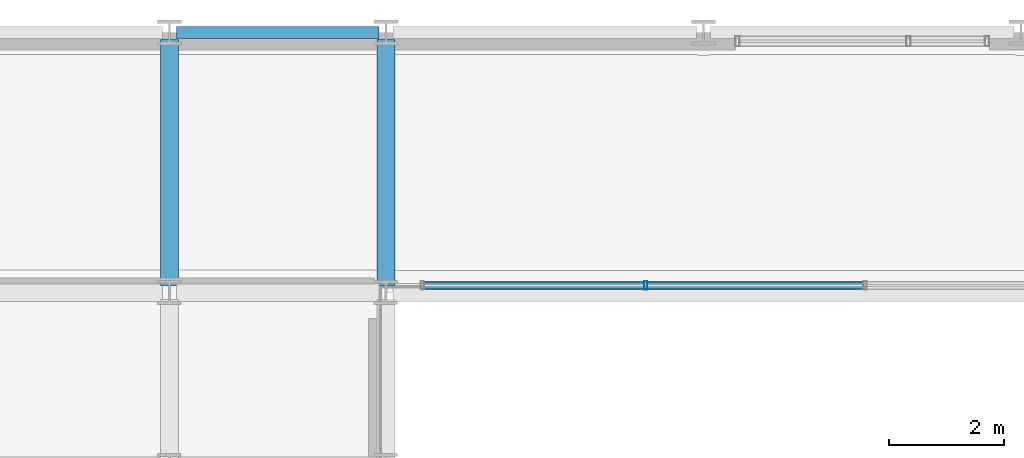
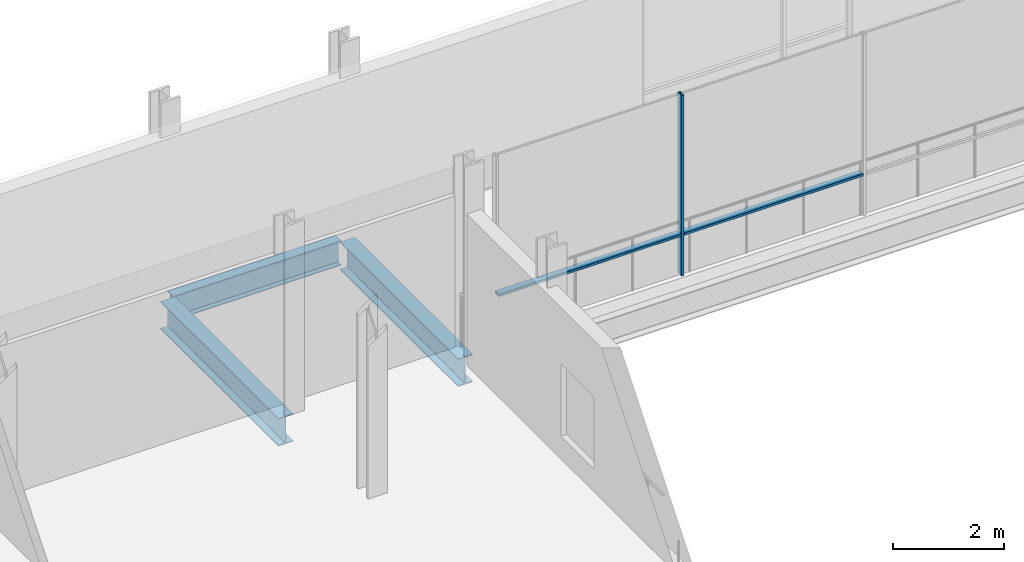
# One storey, part 9 of 32: 3 beams, 3 members, 1 element without a shape of its own.
"""IFC4 building model written with IfcOpenShell, lengths in metres."""

import ifcopenshell
import ifcopenshell.guid

model = None  # the IFC model being written
_history = None  # IfcOwnerHistory: only IFC2X3 demands one
_inside = {}  # id of a spatial element -> (the spatial element, [elements in it])
_under = {}  # id of a project, library or spatial element -> (it, [spatial elements below it])
_declared = {}  # id of a project -> (the project, [libraries it declares])
_typed = {}  # id of a type object -> (the type object, [elements of that type])
_made_of = {}  # id of a material, layer set ... -> (it, [elements and type objects made of it])


def new_model(schema):
    """Start an empty IFC model of exactly this schema.

    Asked for "IFC4X3", IfcOpenShell would pick the latest addendum, in which some entities
    have other attributes; the version numbers below select the first issue.
    IFC2X3 requires an IfcOwnerHistory on every rooted entity: one is made here for all.
    """
    global model, _history
    if schema == "IFC4X3":
        model = ifcopenshell.file(schema_version=(4, 3, 0, 0))
    else:
        model = ifcopenshell.file(schema=schema)
    _inside.clear()
    _under.clear()
    _declared.clear()
    _typed.clear()
    _made_of.clear()
    _history = None
    if model.schema == "IFC2X3":
        org = make("IfcOrganization", Name="unknown")
        user = make(
            "IfcPersonAndOrganization",
            ThePerson=make("IfcPerson", FamilyName="unknown"),
            TheOrganization=org,
        )
        app = make(
            "IfcApplication",
            ApplicationDeveloper=org,
            Version="unknown",
            ApplicationFullName="unknown",
            ApplicationIdentifier="unknown",
        )
        _history = make(
            "IfcOwnerHistory",
            OwningUser=user,
            OwningApplication=app,
            ChangeAction="ADDED",
            CreationDate=0,
        )
    return model


def make(cls, **values):
    """One entity of the class cls with the attributes given. An attribute that is None is left unset."""
    return model.create_entity(
        cls, **{name: value for name, value in values.items() if value is not None}
    )


def rooted(cls, **values):
    """An entity with a GlobalId (a new one), such as an element, a storey or a relation."""
    return make(cls, GlobalId=ifcopenshell.guid.new(), OwnerHistory=_history, **values)


def si_unit(unit_type, name, prefix=None):
    """IfcSIUnit, for example si_unit("LENGTHUNIT", "METRE", prefix="MILLI")."""
    return make("IfcSIUnit", UnitType=unit_type, Prefix=prefix, Name=name)


def assignment(units):
    """IfcUnitAssignment: the units of a project."""
    return None if units is None else make("IfcUnitAssignment", Units=units)


def point(xyz):
    """IfcCartesianPoint."""
    return None if xyz is None else make("IfcCartesianPoint", Coordinates=xyz)


def direction(xyz):
    """IfcDirection."""
    return None if xyz is None else make("IfcDirection", DirectionRatios=xyz)


def frame(location, z_axis=None, x_axis=None):
    """IfcAxis2Placement3D, a coordinate frame: its origin and axes. An axis left out is left unset."""
    return make(
        "IfcAxis2Placement3D",
        Location=point(location),
        Axis=direction(z_axis),
        RefDirection=direction(x_axis),
    )


def frame_2d(location, x_axis=None):
    """IfcAxis2Placement2D, a coordinate frame in the plane: its origin and x axis."""
    return make(
        "IfcAxis2Placement2D", Location=point(location), RefDirection=direction(x_axis)
    )


def origin():
    """The frame at (0, 0, 0) with its axes left unset."""
    return frame((0.0, 0.0, 0.0))


def origin_2d():
    """The frame at (0, 0) in the plane with its x axis left unset."""
    return frame_2d((0.0, 0.0))


def place(relative_to, where):
    """IfcLocalPlacement: puts the frame where relative to a parent placement (None: the world)."""
    return make(
        "IfcLocalPlacement", PlacementRelTo=relative_to, RelativePlacement=where
    )


def context(
    kind, dimensions, precision=None, world=None, true_north=None, identifier=None
):
    """IfcGeometricRepresentationContext, for example the 3D "Model" context."""
    return make(
        "IfcGeometricRepresentationContext",
        ContextIdentifier=identifier,
        ContextType=kind,
        CoordinateSpaceDimension=dimensions,
        Precision=precision,
        WorldCoordinateSystem=world,
        TrueNorth=true_north,
    )


def subcontext(parent, identifier, kind, view, scale=None):
    """IfcGeometricRepresentationSubContext, for example "Body" below "Model"."""
    return make(
        "IfcGeometricRepresentationSubContext",
        ContextIdentifier=identifier,
        ContextType=kind,
        ParentContext=parent,
        TargetScale=scale,
        TargetView=view,
    )


def project(units=None, contexts=None):
    """IfcProject with its units and contexts."""
    return rooted(
        "IfcProject",
        Name="project",
        RepresentationContexts=contexts,
        UnitsInContext=assignment(units),
    )


def spatial(cls, under=None, at=None, **own):
    """A site, building, storey or space (cls), placed at a placement, below another one or the project."""
    s = rooted(cls, ObjectPlacement=at, **own)
    if under is not None:
        _under.setdefault(under.id(), (under, []))[1].append(s)
    return s


def profile(cls, at=None, kind="AREA", **sizes):
    """A parametric profile (cls). Its sizes go by their IFC names, for example OverallWidth=200.0."""
    return make(cls, ProfileType=kind, Position=at, **sizes)


def hollow_rectangle(**sizes):
    """IfcRectangleHollowProfileDef."""
    return profile("IfcRectangleHollowProfileDef", **sizes)


def i_section(**sizes):
    """IfcIShapeProfileDef."""
    return profile("IfcIShapeProfileDef", **sizes)


def extrude(swept, where, along, depth):
    """IfcExtrudedAreaSolid: the profile swept, set in the frame where, extruded along a direction by depth."""
    return make(
        "IfcExtrudedAreaSolid",
        SweptArea=swept,
        Position=where,
        ExtrudedDirection=direction(along),
        Depth=depth,
    )


def shape(context_of_items, identifier, shape_type, items):
    """IfcShapeRepresentation: the items that make up one representation, for example the "Body"."""
    return make(
        "IfcShapeRepresentation",
        ContextOfItems=context_of_items,
        RepresentationIdentifier=identifier,
        RepresentationType=shape_type,
        Items=items,
    )


def material(Name=None, Category=None):
    """IfcMaterial."""
    return make("IfcMaterial", Name=Name, Category=Category)


def layer(
    of_material, thickness, ventilated=None, Name=None, Category=None, Priority=None
):
    """IfcMaterialLayer: one layer of a wall or slab, of a material (None: an air gap)."""
    return make(
        "IfcMaterialLayer",
        Material=of_material,
        LayerThickness=thickness,
        IsVentilated=ventilated,
        Name=Name,
        Category=Category,
        Priority=Priority,
    )


def layer_set(layers, Name=None):
    """IfcMaterialLayerSet."""
    return make("IfcMaterialLayerSet", MaterialLayers=layers, LayerSetName=Name)


def material_profile(
    of_material, cross_section, Name=None, Category=None, Priority=None
):
    """IfcMaterialProfile: a cross section and its material."""
    return make(
        "IfcMaterialProfile",
        Name=Name,
        Material=of_material,
        Profile=cross_section,
        Priority=Priority,
        Category=Category,
    )


def profile_set(profiles, Name=None, composite=None):
    """IfcMaterialProfileSet."""
    return make(
        "IfcMaterialProfileSet",
        Name=Name,
        MaterialProfiles=profiles,
        CompositeProfile=composite,
    )


def made_of(thing, what):
    """Note that an element or type object is made of a material, layer set ...; save() writes the relation."""
    if what is not None:
        _made_of.setdefault(what.id(), (what, []))[1].append(thing)
    return thing


def type_object(cls, material=None, **own):
    """A type object (cls), such as IfcWallType, which elements share."""
    return made_of(rooted(cls, **own), material)


def element(
    cls,
    number,
    at=None,
    inside=None,
    cuts=None,
    type_object=None,
    material=None,
    context=None,
    identifier="Body",
    shape_type=None,
    held_by="IfcProductDefinitionShape",
    body=None,
    shapes=None,
    **own,
):
    """One element of the class cls, such as IfcWall. Its Tag is "e" and its number.

    at: its placement. inside: the storey or other place that contains it. cuts: it is an
    opening in that element (IfcRelVoidsElement). A single representation is given by context,
    identifier, shape_type and body (its items); several are given by shapes. held_by: the class
    of the entity that holds the representations. save() writes the other relations.
    """
    e = rooted(cls, Tag="e%d" % number, ObjectPlacement=at, **own)
    if body is not None:
        shapes = [shape(context, identifier, shape_type, body)]
    if shapes is not None:
        e.Representation = make(held_by, Representations=shapes)
    if inside is not None:
        _inside.setdefault(inside.id(), (inside, []))[1].append(e)
    if cuts is not None:
        rooted(
            "IfcRelVoidsElement", RelatingBuildingElement=cuts, RelatedOpeningElement=e
        )
    if type_object is not None:
        _typed.setdefault(type_object.id(), (type_object, []))[1].append(e)
    return made_of(e, material)


def aggregate(whole, parts):
    """IfcRelAggregates: a whole, such as a stair, and the parts it consists of."""
    return rooted("IfcRelAggregates", RelatingObject=whole, RelatedObjects=parts)


def save(model, path):
    """Write the relations noted so far, then the file.

    IfcRelAggregates (storeys below a building ...), IfcRelContainedInSpatialStructure (elements
    in a storey), IfcRelDefinesByType, IfcRelAssociatesMaterial and IfcRelDeclares: one each for
    every whole, place, type object, material and project.
    """
    for whole, parts in _under.values():
        aggregate(whole, parts)
    for where, things in _inside.values():
        rooted(
            "IfcRelContainedInSpatialStructure",
            RelatedElements=things,
            RelatingStructure=where,
        )
    for kind, things in _typed.values():
        rooted("IfcRelDefinesByType", RelatedObjects=things, RelatingType=kind)
    for what, things in _made_of.values():
        rooted("IfcRelAssociatesMaterial", RelatedObjects=things, RelatingMaterial=what)
    for by, libraries in _declared.values():
        rooted("IfcRelDeclares", RelatingContext=by, RelatedDefinitions=libraries)
    model.write(path)


model = new_model("IFC4")

# Units and contexts
model_context = context("Model", 3, precision=1e-05, world=origin(), true_north=direction((0.0, 1.0)))
body_context = subcontext(model_context, "Body", "Model", "MODEL_VIEW")
ifc_project = project(units=[si_unit("LENGTHUNIT", "METRE"), si_unit("AREAUNIT", "SQUARE_METRE"), si_unit("VOLUMEUNIT", "CUBIC_METRE"), si_unit("PLANEANGLEUNIT", "RADIAN"), si_unit("MASSUNIT", "GRAM", prefix="KILO")], contexts=[model_context])

# Site, building, storey
site_placement = place(None, origin())
site = spatial("IfcSite", under=ifc_project, at=site_placement, CompositionType="ELEMENT")
building_placement = place(site_placement, origin())
building = spatial("IfcBuilding", under=site, at=building_placement, Name="Brevholm Reach", CompositionType="ELEMENT")
storey_placement = place(building_placement, frame((0.0, 0.0, 134.5)))
storey = spatial("IfcBuildingStorey", under=building, at=storey_placement, Name="L40", CompositionType="ELEMENT", Elevation=134.5)

# Beams
ifc_material_1 = material(Name="Structural Steel S355J2", Category="steel")
ifc_material_profile_1 = material_profile(ifc_material_1, i_section(OverallWidth=0.210693359375, OverallDepth=0.53955078125, WebThickness=0.01171875, FlangeThickness=0.018798828125, FilletRadius=0.0126953125, at=origin_2d()), Name="UKB 533x210x109")
ifc_profile_set_1 = profile_set([ifc_material_profile_1], Name="Structural Steel S355J2")
beam_type_1 = type_object("IfcBeamType", Name="BM-SP539", PredefinedType="SPANDREL", material=ifc_profile_set_1)
beam_placement = place(storey_placement, frame((18.1201171875, 31.0, -0.519775390625), z_axis=(1.0, 0.0, 0.0), x_axis=(0.0, 1.0, 0.0)))
element("IfcBeam", 1, at=beam_placement, inside=storey, type_object=beam_type_1, Name="L40 SP-01B Framing Beam", PredefinedType="SPANDREL", context=body_context, shape_type="SweptSolid", body=[
    extrude(i_section(OverallWidth=0.210693359375, OverallDepth=0.53955078125, WebThickness=0.01171875, FlangeThickness=0.018798828125, FilletRadius=0.0126953125, at=origin_2d()), origin(), (0.0, 0.0, 1.0), 3.509765625),
])
ifc_material_2 = material(Name="Structural Steel S355J2", Category="steel")
ifc_material_profile_2 = material_profile(ifc_material_2, i_section(OverallWidth=0.30712890625, OverallDepth=0.6201171875, WebThickness=0.01416015625, FlangeThickness=0.023681640625, FilletRadius=0.0166015625, at=origin_2d()), Name="UKB 610x305x179")
ifc_profile_set_2 = profile_set([ifc_material_profile_2], Name="Structural Steel S355J2")
beam_type_2 = type_object("IfcBeamType", Name="BM-UKB610H", PredefinedType="USERDEFINED", material=ifc_profile_set_2)
for number, where, z_axis, x_axis, name in (
    (2, (18.0, 26.6201171875, -0.56005859375), (0.0, 1.0, 0.0), (-1.0, 0.0, 0.0), "L40 G-06 Framing Beam"),
    (3, (21.75, 26.6201171875, -0.56005859375), (0.0, 1.0, 0.0), (-1.0, 0.0, 0.0), "L40 G-06 Framing Beam"),
):
    element("IfcBeam", number, at=place(storey_placement, frame(where, z_axis=z_axis, x_axis=x_axis)), inside=storey, type_object=beam_type_2, Name=name, ObjectType="GIRDER", PredefinedType="USERDEFINED", context=body_context, shape_type="SweptSolid", body=[
        extrude(i_section(OverallWidth=0.30712890625, OverallDepth=0.6201171875, WebThickness=0.01416015625, FlangeThickness=0.023681640625, FilletRadius=0.0166015625, at=origin_2d()), origin(), (0.0, 0.0, 1.0), 4.259765625),
    ])

# Curtain wall, members
ifc_material_3 = material(Name="Dark Anodised Aluminium 6063-T6 and Solar-Control Glass", Category="aluminium")
ifc_layer = layer(ifc_material_3, 0.139892578125)
ifc_layer_set = layer_set([ifc_layer], Name="Dark Anodised Aluminium 6063-T6 and Solar-Control Glass")
curtain_wall_type = type_object("IfcCurtainWallType", Name="CW-02", PredefinedType="NOTDEFINED", material=ifc_layer_set)
curtain_wall_placement = place(storey_placement, origin())
curtain_wall = element("IfcCurtainWall", 4, at=curtain_wall_placement, inside=storey, type_object=curtain_wall_type, Name="L40 Curtain Wall CW-02", PredefinedType="NOTDEFINED")
ifc_material_4 = material(Name="Dark Anodised Aluminium 6063-T6", Category="aluminium")
ifc_material_profile_3 = material_profile(ifc_material_4, hollow_rectangle(XDim=0.06005859375, YDim=0.139892578125, WallThickness=0.0048828125, InnerFilletRadius=0.0048828125, OuterFilletRadius=0.010009765625, at=origin_2d()), Name="RHS 140x60x5")
ifc_profile_set_3 = profile_set([ifc_material_profile_3], Name="Dark Anodised Aluminium 6063-T6")
member_type_1 = type_object("IfcMemberType", Name="CWM-140", PredefinedType="MULLION", material=ifc_profile_set_3)
member_1_placement = place(storey_placement, frame((26.25, 26.6201171875, 0.0), z_axis=(0.0, 0.0, 1.0), x_axis=(-1.0, 0.0, 0.0)))
member_1 = element("IfcMember", 5, at=member_1_placement, type_object=member_type_1, Name="CM-140 Mullion 4", PredefinedType="MULLION", context=body_context, shape_type="SweptSolid", body=[
    extrude(hollow_rectangle(XDim=0.06005859375, YDim=0.139892578125, WallThickness=0.0048828125, InnerFilletRadius=0.0048828125, OuterFilletRadius=0.010009765625, at=origin_2d()), origin(), (0.0, 0.0, 1.0), 3.97998046875),
])
ifc_material_5 = material(Name="Dark Anodised Aluminium 6063-T6", Category="aluminium")
ifc_material_profile_4 = material_profile(ifc_material_5, hollow_rectangle(XDim=0.06005859375, YDim=0.139892578125, WallThickness=0.0048828125, InnerFilletRadius=0.0048828125, OuterFilletRadius=0.010009765625, at=origin_2d()), Name="RHS 140x60x5")
ifc_profile_set_4 = profile_set([ifc_material_profile_4], Name="Dark Anodised Aluminium 6063-T6")
member_type_2 = type_object("IfcMemberType", Name="CWT-140", PredefinedType="NOTDEFINED", material=ifc_profile_set_4)
member_2_placement = place(storey_placement, frame((30.02001953125, 26.6201171875, 0.89990234375), z_axis=(-1.0, 0.0, 0.0), x_axis=(0.0, 0.0, 1.0)))
member_2 = element("IfcMember", 6, at=member_2_placement, type_object=member_type_2, Name="CT-140 Transom 3.1", ObjectType="TRANSOM", PredefinedType="USERDEFINED", context=body_context, shape_type="SweptSolid", body=[
    extrude(hollow_rectangle(XDim=0.06005859375, YDim=0.139892578125, WallThickness=0.0048828125, InnerFilletRadius=0.0048828125, OuterFilletRadius=0.010009765625, at=origin_2d()), origin(), (0.0, 0.0, 1.0), 3.739990234375),
])
member_3_placement = place(storey_placement, frame((26.219970703125, 26.6201171875, 0.89990234375), z_axis=(-1.0, 0.0, 0.0), x_axis=(0.0, 0.0, 1.0)))
member_3 = element("IfcMember", 7, at=member_3_placement, type_object=member_type_2, Name="CT-140 Transom 4.1", ObjectType="TRANSOM", PredefinedType="USERDEFINED", context=body_context, shape_type="SweptSolid", body=[
    extrude(hollow_rectangle(XDim=0.06005859375, YDim=0.139892578125, WallThickness=0.0048828125, InnerFilletRadius=0.0048828125, OuterFilletRadius=0.010009765625, at=origin_2d()), origin(), (0.0, 0.0, 1.0), 3.81005859375),
])
aggregate(curtain_wall, [member_1, member_2, member_3])

save(model, "model.ifc")
